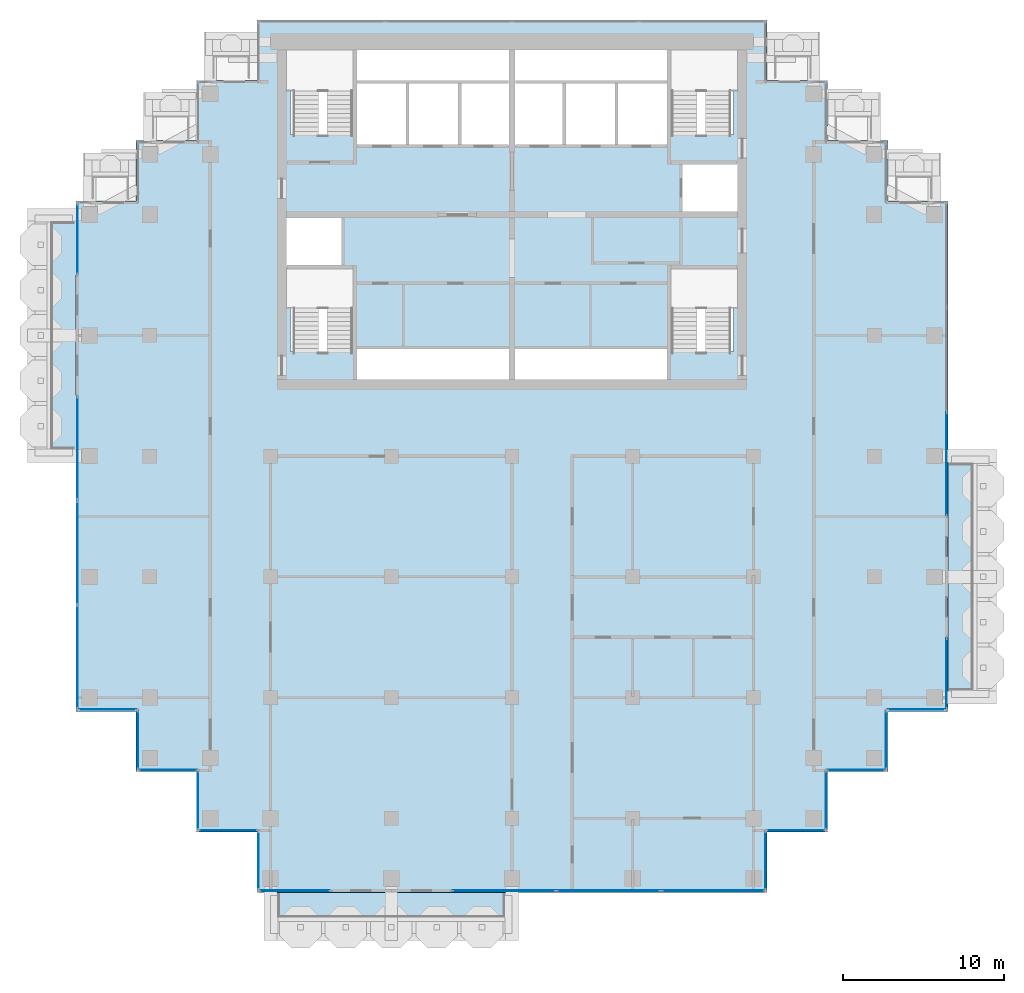
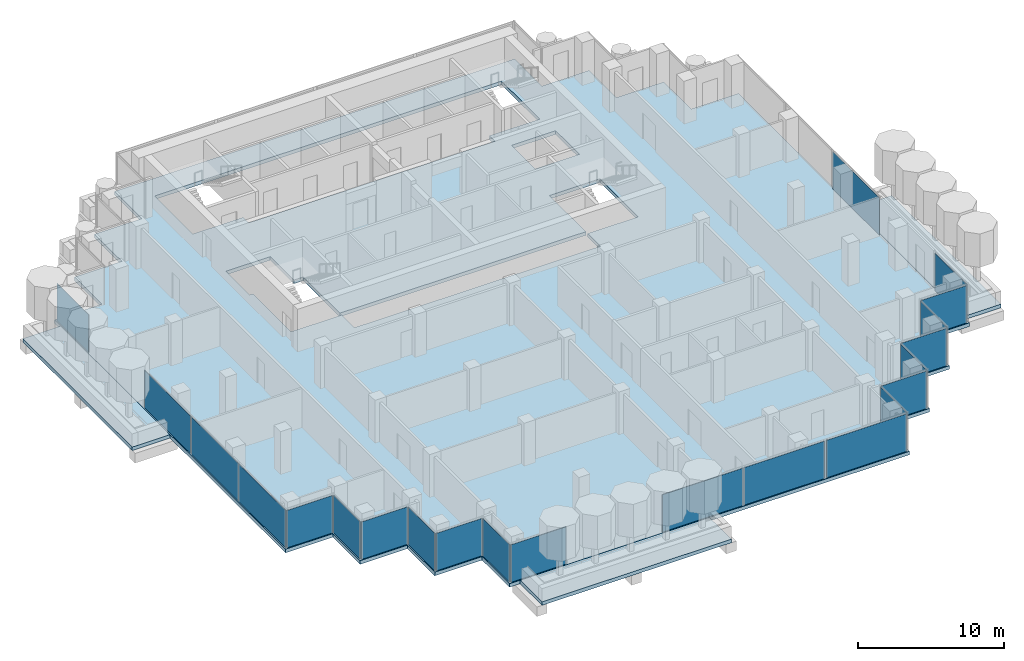
# One storey, part 8 of 18: 22 plates, 4 slabs, 20 elements without a shape of their own.
"""IFC4 building model written with IfcOpenShell, lengths in metres."""

from ifc_helpers import new_model, si_unit, direction, frame, origin, origin_2d, place, context, subcontext, project, spatial, polyline, rectangle, outline, extrude, material, layer, layer_set, type_object, element, aggregate, save


model = new_model("IFC4")

# Units and contexts
model_context = context("Model", 3, precision=1e-05, world=origin(), true_north=direction((0.0, 1.0)))
body_context = subcontext(model_context, "Body", "Model", "MODEL_VIEW")
ifc_project = project(units=[si_unit("LENGTHUNIT", "METRE"), si_unit("AREAUNIT", "SQUARE_METRE"), si_unit("VOLUMEUNIT", "CUBIC_METRE"), si_unit("PLANEANGLEUNIT", "RADIAN"), si_unit("MASSUNIT", "GRAM", prefix="KILO")], contexts=[model_context])

# Site, building, storey
site_placement = place(None, origin())
site = spatial("IfcSite", under=ifc_project, at=site_placement, CompositionType="ELEMENT")
building_placement = place(site_placement, origin())
building = spatial("IfcBuilding", under=site, at=building_placement, Name="Pilkhan Gate Tower", CompositionType="ELEMENT")
storey_placement = place(building_placement, frame((0.0, 0.0, 221.10009765625)))
storey = spatial("IfcBuildingStorey", under=building, at=storey_placement, Name="L57", CompositionType="ELEMENT", Elevation=221.10009765625)

# Slabs
ifc_material_1 = material(Name="Concrete C60/75", Category="concrete")
ifc_layer_1 = layer(ifc_material_1, 0.300048828125)
ifc_layer_set_1 = layer_set([ifc_layer_1], Name="Balcony tray slab TR300")
slab_type_1 = type_object("IfcSlabType", Name="Balcony tray slab TR300", PredefinedType="FLOOR", material=ifc_layer_set_1)
slab_1_placement = place(storey_placement, frame((0.0, 0.0, -0.300048828125)))
element("IfcSlab", 1, at=slab_1_placement, inside=storey, type_object=slab_type_1, Name="Balcony tray L57 S", PredefinedType="FLOOR", context=body_context, shape_type="SweptSolid", body=[
    extrude(outline(polyline([(75.0, 37.39990234375), (75.0, 40.39990234375), (60.0, 40.39990234375), (60.0, 37.39990234375), (75.0, 37.39990234375)])), origin(), (0.0, 0.0, 1.0), 0.300048828125),
])
slab_2_placement = place(storey_placement, frame((0.0, 0.0, -0.300048828125)))
element("IfcSlab", 2, at=slab_2_placement, inside=storey, type_object=slab_type_1, Name="Balcony tray L57 E", PredefinedType="FLOOR", context=body_context, shape_type="SweptSolid", body=[
    extrude(outline(polyline([(105.10009765625, 52.5), (105.10009765625, 67.5), (102.10009765625, 67.5), (102.10009765625, 52.5), (105.10009765625, 52.5)])), origin(), (0.0, 0.0, 1.0), 0.300048828125),
])
slab_3_placement = place(storey_placement, frame((0.0, 0.0, -0.300048828125)))
element("IfcSlab", 3, at=slab_3_placement, inside=storey, type_object=slab_type_1, Name="Balcony tray L57 W", PredefinedType="FLOOR", context=body_context, shape_type="SweptSolid", body=[
    extrude(outline(polyline([(47.89990234375, 67.5), (47.89990234375, 82.5), (44.89990234375, 82.5), (44.89990234375, 67.5), (47.89990234375, 67.5)])), origin(), (0.0, 0.0, 1.0), 0.300048828125),
])
ifc_material_2 = material(Name="Concrete C40/50", Category="concrete")
ifc_layer_2 = layer(ifc_material_2, 0.300048828125)
ifc_layer_set_2 = layer_set([ifc_layer_2], Name="Flat plate slab FP300")
slab_type_2 = type_object("IfcSlabType", Name="Flat plate slab FP300", PredefinedType="FLOOR", material=ifc_layer_set_2)
slab_4_placement = place(storey_placement, frame((0.0, 0.0, -0.300048828125)))
element("IfcSlab", 4, at=slab_4_placement, inside=storey, type_object=slab_type_2, Name="Floor slab L57", PredefinedType="FLOOR", context=body_context, shape_type="SweptSolid", body=[
    extrude(outline(polyline([(98.35009765625, 47.89990234375), (94.60009765625, 47.89990234375), (94.60009765625, 44.14990234375), (90.85009765625, 44.14990234375), (90.85009765625, 40.39990234375), (59.14990234375, 40.39990234375), (59.14990234375, 44.14990234375), (55.39990234375, 44.14990234375), (55.39990234375, 47.89990234375), (51.64990234375, 47.89990234375), (51.64990234375, 51.64990234375), (47.89990234375, 51.64990234375), (47.89990234375, 83.35009765625), (51.64990234375, 83.35009765625), (51.64990234375, 87.10009765625), (55.39990234375, 87.10009765625), (55.39990234375, 90.85009765625), (59.14990234375, 90.85009765625), (59.14990234375, 94.60009765625), (90.85009765625, 94.60009765625), (90.85009765625, 90.85009765625), (94.60009765625, 90.85009765625), (94.60009765625, 87.10009765625), (98.35009765625, 87.10009765625), (98.35009765625, 83.35009765625), (102.10009765625, 83.35009765625), (102.10009765625, 51.64990234375), (98.35009765625, 51.64990234375), (98.35009765625, 47.89990234375)]), holes=[polyline([(75.0, 72.25), (84.75, 72.25), (84.75, 74.0), (88.75, 74.0), (88.75, 79.25), (84.75, 79.25), (84.75, 74.25), (75.0, 74.25), (65.25, 74.25), (65.25, 79.25), (64.5, 79.25), (64.5, 82.5), (61.25, 82.5), (61.0, 82.5), (61.0, 79.25), (61.25, 79.25), (61.25, 74.0), (65.25, 74.0), (65.25, 72.25), (75.0, 72.25)]), polyline([(68.5, 86.75), (71.75, 86.75), (75.0, 86.75), (78.25, 86.75), (81.5, 86.75), (84.75, 86.75), (84.75, 87.5), (88.75, 87.5), (88.75, 92.75), (84.75, 92.75), (75.0, 92.75), (65.25, 92.75), (61.25, 92.75), (61.25, 87.5), (65.25, 87.5), (65.25, 86.75), (68.5, 86.75)]), polyline([(85.5, 85.75), (85.5, 82.5), (88.75, 82.5), (89.0, 82.5), (89.0, 85.75), (88.75, 85.75), (85.5, 85.75)])]), origin(), (0.0, 0.0, 1.0), 0.300048828125),
])

# Curtain wall, plate
ifc_material_3 = material(Name="Pale anodised aluminium, clear low-iron double glazing", Category="aluminium")
curtain_wall_type = type_object("IfcCurtainWallType", Name="Office unitised curtain wall CW-O2", PredefinedType="USERDEFINED", material=ifc_material_3)
curtain_wall_1_placement = place(storey_placement, origin())
curtain_wall_1 = element("IfcCurtainWall", 5, at=curtain_wall_1_placement, inside=storey, type_object=curtain_wall_type, Name="Office unitised curtain wall CW-O2 L57 E", ObjectType="UNITISED CURTAIN WALL", PredefinedType="USERDEFINED")
ifc_material_4 = material(Name="Clear low-iron double glazing", Category="glass")
ifc_layer_3 = layer(ifc_material_4, 0.031982421875)
ifc_layer_set_3 = layer_set([ifc_layer_3], Name="Glass panel CW-O2 32")
plate_type = type_object("IfcPlateType", Name="Glass panel CW-O2 32", PredefinedType="CURTAIN_PANEL", material=ifc_layer_set_3)
plate_1_placement = place(storey_placement, frame((102.0, 54.0, 0.0), z_axis=(0.0, 0.0, 1.0), x_axis=(0.0, 1.0, 0.0)))
plate_1 = element("IfcPlate", 6, at=plate_1_placement, type_object=plate_type, Name="CW-O2 panel 1", PredefinedType="CURTAIN_PANEL", context=body_context, shape_type="SweptSolid", body=[
    extrude(rectangle(XDim=4.3701171875, YDim=0.031982421875, at=origin_2d()), origin(), (0.0, 0.0, 1.0), 3.135009765625),
])
aggregate(curtain_wall_1, [plate_1])

curtain_wall_2_placement = place(storey_placement, origin())
curtain_wall_2 = element("IfcCurtainWall", 7, at=curtain_wall_2_placement, inside=storey, type_object=curtain_wall_type, Name="Office unitised curtain wall CW-O2 L57 E", ObjectType="UNITISED CURTAIN WALL", PredefinedType="USERDEFINED")
plate_2_placement = place(storey_placement, frame((102.0, 67.016357421875, 0.0), z_axis=(0.0, 0.0, 1.0), x_axis=(0.0, 1.0, 0.0)))
plate_2 = element("IfcPlate", 8, at=plate_2_placement, type_object=plate_type, Name="CW-O2 panel 1", PredefinedType="CURTAIN_PANEL", context=body_context, shape_type="SweptSolid", body=[
    extrude(rectangle(XDim=6.402587890625, YDim=0.031982421875, at=origin_2d()), origin(), (0.0, 0.0, 1.0), 3.135009765625),
])
aggregate(curtain_wall_2, [plate_2])

# Curtain wall, plates
curtain_wall_3_placement = place(storey_placement, origin())
curtain_wall_3 = element("IfcCurtainWall", 9, at=curtain_wall_3_placement, inside=storey, type_object=curtain_wall_type, Name="Office unitised curtain wall CW-O2 L57 W", ObjectType="UNITISED CURTAIN WALL", PredefinedType="USERDEFINED")
plate_3_placement = place(storey_placement, frame((48.0, 55.016357421875, 0.0), z_axis=(0.0, 0.0, 1.0), x_axis=(0.0, 1.0, 0.0)))
plate_3 = element("IfcPlate", 10, at=plate_3_placement, type_object=plate_type, Name="CW-O2 panel 1", PredefinedType="CURTAIN_PANEL", context=body_context, shape_type="SweptSolid", body=[
    extrude(rectangle(XDim=6.402587890625, YDim=0.031982421875, at=origin_2d()), origin(), (0.0, 0.0, 1.0), 3.135009765625),
])
plate_4_placement = place(storey_placement, frame((48.0, 61.483642578125, 0.0), z_axis=(0.0, 0.0, 1.0), x_axis=(0.0, 1.0, 0.0)))
plate_4 = element("IfcPlate", 11, at=plate_4_placement, type_object=plate_type, Name="CW-O2 panel 2", PredefinedType="CURTAIN_PANEL", context=body_context, shape_type="SweptSolid", body=[
    extrude(rectangle(XDim=6.402587890625, YDim=0.031982421875, at=origin_2d()), origin(), (0.0, 0.0, 1.0), 3.135009765625),
])
aggregate(curtain_wall_3, [plate_3, plate_4])

# Curtain wall, plate
curtain_wall_4_placement = place(storey_placement, origin())
curtain_wall_4 = element("IfcCurtainWall", 12, at=curtain_wall_4_placement, inside=storey, type_object=curtain_wall_type, Name="Office unitised curtain wall CW-O2 L57 W", ObjectType="UNITISED CURTAIN WALL", PredefinedType="USERDEFINED")
plate_5_placement = place(storey_placement, frame((48.0, 68.0, 0.0), z_axis=(0.0, 0.0, 1.0), x_axis=(0.0, 1.0, 0.0)))
plate_5 = element("IfcPlate", 13, at=plate_5_placement, type_object=plate_type, Name="CW-O2 panel 1", PredefinedType="CURTAIN_PANEL", context=body_context, shape_type="SweptSolid", body=[
    extrude(rectangle(XDim=6.3701171875, YDim=0.031982421875, at=origin_2d()), origin(), (0.0, 0.0, 1.0), 3.135009765625),
])
aggregate(curtain_wall_4, [plate_5])

curtain_wall_5_placement = place(storey_placement, origin())
curtain_wall_5 = element("IfcCurtainWall", 14, at=curtain_wall_5_placement, inside=storey, type_object=curtain_wall_type, Name="Office unitised curtain wall CW-O2 L57 W", ObjectType="UNITISED CURTAIN WALL", PredefinedType="USERDEFINED")
plate_6_placement = place(storey_placement, frame((48.0, 81.0, 0.0), z_axis=(0.0, 0.0, 1.0), x_axis=(0.0, 1.0, 0.0)))
plate_6 = element("IfcPlate", 15, at=plate_6_placement, type_object=plate_type, Name="CW-O2 panel 1", PredefinedType="CURTAIN_PANEL", context=body_context, shape_type="SweptSolid", body=[
    extrude(rectangle(XDim=4.3701171875, YDim=0.031982421875, at=origin_2d()), origin(), (0.0, 0.0, 1.0), 3.135009765625),
])
aggregate(curtain_wall_5, [plate_6])

curtain_wall_6_placement = place(storey_placement, origin())
curtain_wall_6 = element("IfcCurtainWall", 16, at=curtain_wall_6_placement, inside=storey, type_object=curtain_wall_type, Name="Office unitised curtain wall CW-O2 L57 S", ObjectType="UNITISED CURTAIN WALL", PredefinedType="USERDEFINED")
plate_7_placement = place(storey_placement, frame((49.875, 51.75, 0.0), z_axis=(0.0, 0.0, 1.0), x_axis=(1.0, 0.0, 0.0)))
plate_7 = element("IfcPlate", 17, at=plate_7_placement, type_object=plate_type, Name="CW-O2 panel 1", PredefinedType="CURTAIN_PANEL", context=body_context, shape_type="SweptSolid", body=[
    extrude(rectangle(XDim=3.6201171875, YDim=0.031982421875, at=origin_2d()), origin(), (0.0, 0.0, 1.0), 3.135009765625),
])
aggregate(curtain_wall_6, [plate_7])

curtain_wall_7_placement = place(storey_placement, origin())
curtain_wall_7 = element("IfcCurtainWall", 18, at=curtain_wall_7_placement, inside=storey, type_object=curtain_wall_type, Name="Office unitised curtain wall CW-O2 L57 W", ObjectType="UNITISED CURTAIN WALL", PredefinedType="USERDEFINED")
plate_8_placement = place(storey_placement, frame((51.75, 49.875, 0.0), z_axis=(0.0, 0.0, 1.0), x_axis=(0.0, 1.0, 0.0)))
plate_8 = element("IfcPlate", 19, at=plate_8_placement, type_object=plate_type, Name="CW-O2 panel 1", PredefinedType="CURTAIN_PANEL", context=body_context, shape_type="SweptSolid", body=[
    extrude(rectangle(XDim=3.6201171875, YDim=0.031982421875, at=origin_2d()), origin(), (0.0, 0.0, 1.0), 3.135009765625),
])
aggregate(curtain_wall_7, [plate_8])

curtain_wall_8_placement = place(storey_placement, origin())
curtain_wall_8 = element("IfcCurtainWall", 20, at=curtain_wall_8_placement, inside=storey, type_object=curtain_wall_type, Name="Office unitised curtain wall CW-O2 L57 S", ObjectType="UNITISED CURTAIN WALL", PredefinedType="USERDEFINED")
plate_9_placement = place(storey_placement, frame((53.625, 48.0, 0.0), z_axis=(0.0, 0.0, 1.0), x_axis=(1.0, 0.0, 0.0)))
plate_9 = element("IfcPlate", 21, at=plate_9_placement, type_object=plate_type, Name="CW-O2 panel 1", PredefinedType="CURTAIN_PANEL", context=body_context, shape_type="SweptSolid", body=[
    extrude(rectangle(XDim=3.6201171875, YDim=0.031982421875, at=origin_2d()), origin(), (0.0, 0.0, 1.0), 3.135009765625),
])
aggregate(curtain_wall_8, [plate_9])

curtain_wall_9_placement = place(storey_placement, origin())
curtain_wall_9 = element("IfcCurtainWall", 22, at=curtain_wall_9_placement, inside=storey, type_object=curtain_wall_type, Name="Office unitised curtain wall CW-O2 L57 W", ObjectType="UNITISED CURTAIN WALL", PredefinedType="USERDEFINED")
plate_10_placement = place(storey_placement, frame((55.5, 46.125, 0.0), z_axis=(0.0, 0.0, 1.0), x_axis=(0.0, 1.0, 0.0)))
plate_10 = element("IfcPlate", 23, at=plate_10_placement, type_object=plate_type, Name="CW-O2 panel 1", PredefinedType="CURTAIN_PANEL", context=body_context, shape_type="SweptSolid", body=[
    extrude(rectangle(XDim=3.6201171875, YDim=0.031982421875, at=origin_2d()), origin(), (0.0, 0.0, 1.0), 3.135009765625),
])
aggregate(curtain_wall_9, [plate_10])

curtain_wall_10_placement = place(storey_placement, origin())
curtain_wall_10 = element("IfcCurtainWall", 24, at=curtain_wall_10_placement, inside=storey, type_object=curtain_wall_type, Name="Office unitised curtain wall CW-O2 L57 S", ObjectType="UNITISED CURTAIN WALL", PredefinedType="USERDEFINED")
plate_11_placement = place(storey_placement, frame((57.375, 44.25, 0.0), z_axis=(0.0, 0.0, 1.0), x_axis=(1.0, 0.0, 0.0)))
plate_11 = element("IfcPlate", 25, at=plate_11_placement, type_object=plate_type, Name="CW-O2 panel 1", PredefinedType="CURTAIN_PANEL", context=body_context, shape_type="SweptSolid", body=[
    extrude(rectangle(XDim=3.6201171875, YDim=0.031982421875, at=origin_2d()), origin(), (0.0, 0.0, 1.0), 3.135009765625),
])
aggregate(curtain_wall_10, [plate_11])

curtain_wall_11_placement = place(storey_placement, origin())
curtain_wall_11 = element("IfcCurtainWall", 26, at=curtain_wall_11_placement, inside=storey, type_object=curtain_wall_type, Name="Office unitised curtain wall CW-O2 L57 W", ObjectType="UNITISED CURTAIN WALL", PredefinedType="USERDEFINED")
plate_12_placement = place(storey_placement, frame((59.25, 42.375, 0.0), z_axis=(0.0, 0.0, 1.0), x_axis=(0.0, 1.0, 0.0)))
plate_12 = element("IfcPlate", 27, at=plate_12_placement, type_object=plate_type, Name="CW-O2 panel 1", PredefinedType="CURTAIN_PANEL", context=body_context, shape_type="SweptSolid", body=[
    extrude(rectangle(XDim=3.6201171875, YDim=0.031982421875, at=origin_2d()), origin(), (0.0, 0.0, 1.0), 3.135009765625),
])
aggregate(curtain_wall_11, [plate_12])

curtain_wall_12_placement = place(storey_placement, origin())
curtain_wall_12 = element("IfcCurtainWall", 28, at=curtain_wall_12_placement, inside=storey, type_object=curtain_wall_type, Name="Office unitised curtain wall CW-O2 L57 S", ObjectType="UNITISED CURTAIN WALL", PredefinedType="USERDEFINED")
plate_13_placement = place(storey_placement, frame((61.5, 40.5, 0.0), z_axis=(0.0, 0.0, 1.0), x_axis=(1.0, 0.0, 0.0)))
plate_13 = element("IfcPlate", 29, at=plate_13_placement, type_object=plate_type, Name="CW-O2 panel 1", PredefinedType="CURTAIN_PANEL", context=body_context, shape_type="SweptSolid", body=[
    extrude(rectangle(XDim=4.3701171875, YDim=0.031982421875, at=origin_2d()), origin(), (0.0, 0.0, 1.0), 3.135009765625),
])
aggregate(curtain_wall_12, [plate_13])

# Curtain wall, plates
curtain_wall_13_placement = place(storey_placement, origin())
curtain_wall_13 = element("IfcCurtainWall", 30, at=curtain_wall_13_placement, inside=storey, type_object=curtain_wall_type, Name="Office unitised curtain wall CW-O2 L57 S", ObjectType="UNITISED CURTAIN WALL", PredefinedType="USERDEFINED")
plate_14_placement = place(storey_placement, frame((74.516357421875, 40.5, 0.0), z_axis=(0.0, 0.0, 1.0), x_axis=(1.0, 0.0, 0.0)))
plate_14 = element("IfcPlate", 31, at=plate_14_placement, type_object=plate_type, Name="CW-O2 panel 1", PredefinedType="CURTAIN_PANEL", context=body_context, shape_type="SweptSolid", body=[
    extrude(rectangle(XDim=6.402587890625, YDim=0.031982421875, at=origin_2d()), origin(), (0.0, 0.0, 1.0), 3.135009765625),
])
plate_15_placement = place(storey_placement, frame((80.983642578125, 40.5, 0.0), z_axis=(0.0, 0.0, 1.0), x_axis=(1.0, 0.0, 0.0)))
plate_15 = element("IfcPlate", 32, at=plate_15_placement, type_object=plate_type, Name="CW-O2 panel 2", PredefinedType="CURTAIN_PANEL", context=body_context, shape_type="SweptSolid", body=[
    extrude(rectangle(XDim=6.402587890625, YDim=0.031982421875, at=origin_2d()), origin(), (0.0, 0.0, 1.0), 3.135009765625),
])
aggregate(curtain_wall_13, [plate_14, plate_15])

# Curtain wall, plate
curtain_wall_14_placement = place(storey_placement, origin())
curtain_wall_14 = element("IfcCurtainWall", 33, at=curtain_wall_14_placement, inside=storey, type_object=curtain_wall_type, Name="Office unitised curtain wall CW-O2 L57 S", ObjectType="UNITISED CURTAIN WALL", PredefinedType="USERDEFINED")
plate_16_placement = place(storey_placement, frame((87.5, 40.5, 0.0), z_axis=(0.0, 0.0, 1.0), x_axis=(1.0, 0.0, 0.0)))
plate_16 = element("IfcPlate", 34, at=plate_16_placement, type_object=plate_type, Name="CW-O2 panel 1", PredefinedType="CURTAIN_PANEL", context=body_context, shape_type="SweptSolid", body=[
    extrude(rectangle(XDim=6.3701171875, YDim=0.031982421875, at=origin_2d()), origin(), (0.0, 0.0, 1.0), 3.135009765625),
])
aggregate(curtain_wall_14, [plate_16])

curtain_wall_15_placement = place(storey_placement, origin())
curtain_wall_15 = element("IfcCurtainWall", 35, at=curtain_wall_15_placement, inside=storey, type_object=curtain_wall_type, Name="Office unitised curtain wall CW-O2 L57 E", ObjectType="UNITISED CURTAIN WALL", PredefinedType="USERDEFINED")
plate_17_placement = place(storey_placement, frame((90.75, 42.375, 0.0), z_axis=(0.0, 0.0, 1.0), x_axis=(0.0, 1.0, 0.0)))
plate_17 = element("IfcPlate", 36, at=plate_17_placement, type_object=plate_type, Name="CW-O2 panel 1", PredefinedType="CURTAIN_PANEL", context=body_context, shape_type="SweptSolid", body=[
    extrude(rectangle(XDim=3.6201171875, YDim=0.031982421875, at=origin_2d()), origin(), (0.0, 0.0, 1.0), 3.135009765625),
])
aggregate(curtain_wall_15, [plate_17])

curtain_wall_16_placement = place(storey_placement, origin())
curtain_wall_16 = element("IfcCurtainWall", 37, at=curtain_wall_16_placement, inside=storey, type_object=curtain_wall_type, Name="Office unitised curtain wall CW-O2 L57 S", ObjectType="UNITISED CURTAIN WALL", PredefinedType="USERDEFINED")
plate_18_placement = place(storey_placement, frame((92.625, 44.25, 0.0), z_axis=(0.0, 0.0, 1.0), x_axis=(1.0, 0.0, 0.0)))
plate_18 = element("IfcPlate", 38, at=plate_18_placement, type_object=plate_type, Name="CW-O2 panel 1", PredefinedType="CURTAIN_PANEL", context=body_context, shape_type="SweptSolid", body=[
    extrude(rectangle(XDim=3.6201171875, YDim=0.031982421875, at=origin_2d()), origin(), (0.0, 0.0, 1.0), 3.135009765625),
])
aggregate(curtain_wall_16, [plate_18])

curtain_wall_17_placement = place(storey_placement, origin())
curtain_wall_17 = element("IfcCurtainWall", 39, at=curtain_wall_17_placement, inside=storey, type_object=curtain_wall_type, Name="Office unitised curtain wall CW-O2 L57 E", ObjectType="UNITISED CURTAIN WALL", PredefinedType="USERDEFINED")
plate_19_placement = place(storey_placement, frame((94.5, 46.125, 0.0), z_axis=(0.0, 0.0, 1.0), x_axis=(0.0, 1.0, 0.0)))
plate_19 = element("IfcPlate", 40, at=plate_19_placement, type_object=plate_type, Name="CW-O2 panel 1", PredefinedType="CURTAIN_PANEL", context=body_context, shape_type="SweptSolid", body=[
    extrude(rectangle(XDim=3.6201171875, YDim=0.031982421875, at=origin_2d()), origin(), (0.0, 0.0, 1.0), 3.135009765625),
])
aggregate(curtain_wall_17, [plate_19])

curtain_wall_18_placement = place(storey_placement, origin())
curtain_wall_18 = element("IfcCurtainWall", 41, at=curtain_wall_18_placement, inside=storey, type_object=curtain_wall_type, Name="Office unitised curtain wall CW-O2 L57 S", ObjectType="UNITISED CURTAIN WALL", PredefinedType="USERDEFINED")
plate_20_placement = place(storey_placement, frame((96.375, 48.0, 0.0), z_axis=(0.0, 0.0, 1.0), x_axis=(1.0, 0.0, 0.0)))
plate_20 = element("IfcPlate", 42, at=plate_20_placement, type_object=plate_type, Name="CW-O2 panel 1", PredefinedType="CURTAIN_PANEL", context=body_context, shape_type="SweptSolid", body=[
    extrude(rectangle(XDim=3.6201171875, YDim=0.031982421875, at=origin_2d()), origin(), (0.0, 0.0, 1.0), 3.135009765625),
])
aggregate(curtain_wall_18, [plate_20])

curtain_wall_19_placement = place(storey_placement, origin())
curtain_wall_19 = element("IfcCurtainWall", 43, at=curtain_wall_19_placement, inside=storey, type_object=curtain_wall_type, Name="Office unitised curtain wall CW-O2 L57 E", ObjectType="UNITISED CURTAIN WALL", PredefinedType="USERDEFINED")
plate_21_placement = place(storey_placement, frame((98.25, 49.875, 0.0), z_axis=(0.0, 0.0, 1.0), x_axis=(0.0, 1.0, 0.0)))
plate_21 = element("IfcPlate", 44, at=plate_21_placement, type_object=plate_type, Name="CW-O2 panel 1", PredefinedType="CURTAIN_PANEL", context=body_context, shape_type="SweptSolid", body=[
    extrude(rectangle(XDim=3.6201171875, YDim=0.031982421875, at=origin_2d()), origin(), (0.0, 0.0, 1.0), 3.135009765625),
])
aggregate(curtain_wall_19, [plate_21])

curtain_wall_20_placement = place(storey_placement, origin())
curtain_wall_20 = element("IfcCurtainWall", 45, at=curtain_wall_20_placement, inside=storey, type_object=curtain_wall_type, Name="Office unitised curtain wall CW-O2 L57 S", ObjectType="UNITISED CURTAIN WALL", PredefinedType="USERDEFINED")
plate_22_placement = place(storey_placement, frame((100.125, 51.75, 0.0), z_axis=(0.0, 0.0, 1.0), x_axis=(1.0, 0.0, 0.0)))
plate_22 = element("IfcPlate", 46, at=plate_22_placement, type_object=plate_type, Name="CW-O2 panel 1", PredefinedType="CURTAIN_PANEL", context=body_context, shape_type="SweptSolid", body=[
    extrude(rectangle(XDim=3.6201171875, YDim=0.031982421875, at=origin_2d()), origin(), (0.0, 0.0, 1.0), 3.135009765625),
])
aggregate(curtain_wall_20, [plate_22])

save(model, "model.ifc")
